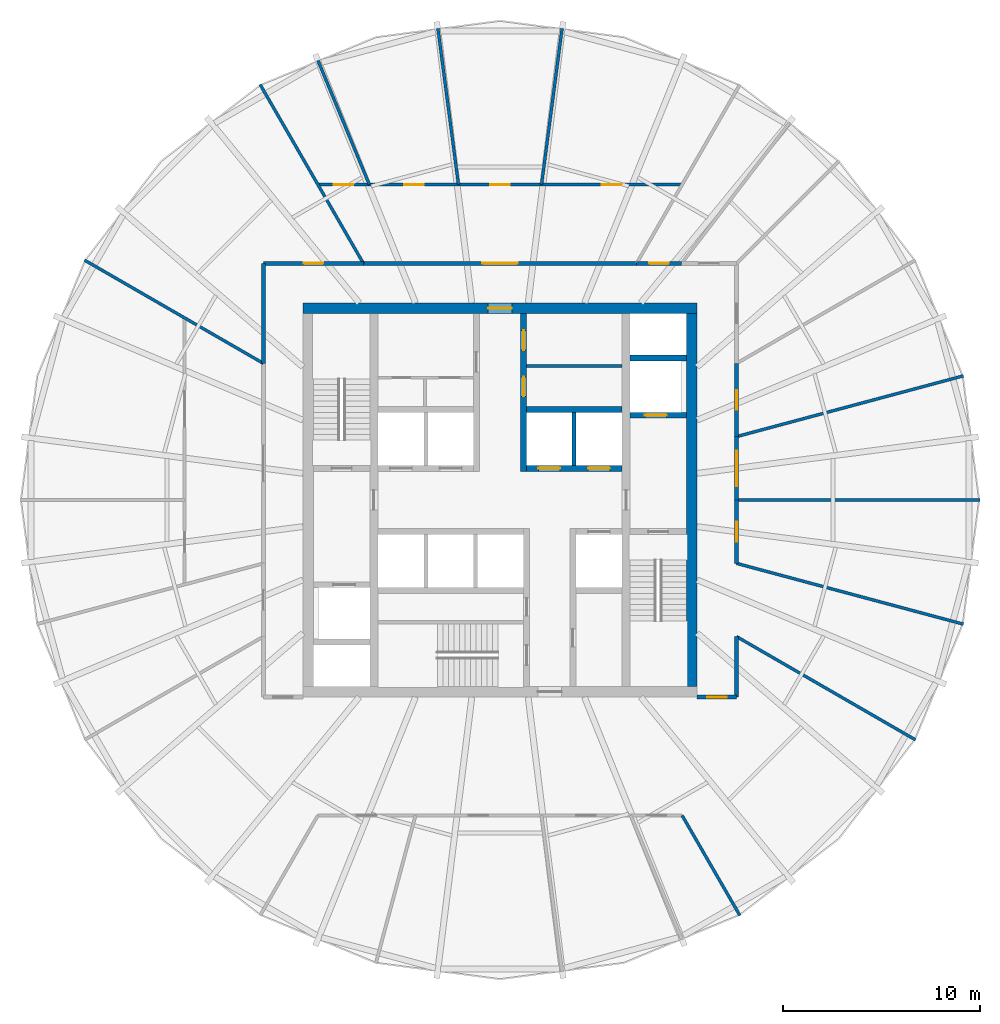
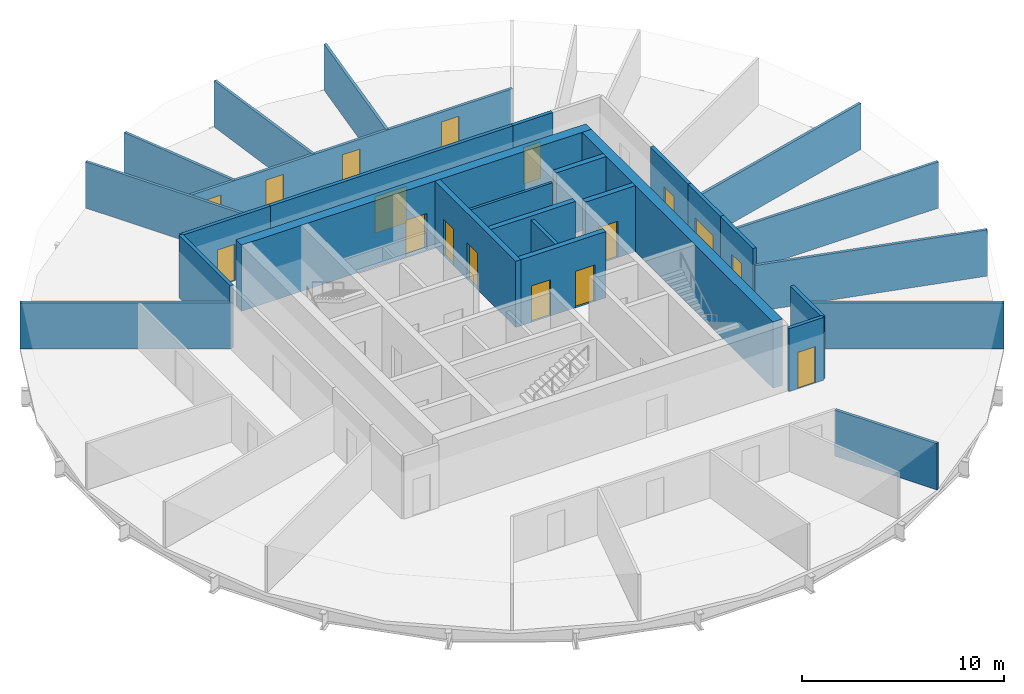
# One storey, part 4 of 6: 29 walls, 17 doors, 17 openings.
"""IFC4 building model written with IfcOpenShell, lengths in metres."""

from ifc_helpers import new_model, si_unit, direction, frame, frame_2d, origin, place, context, subcontext, project, spatial, rectangle, extrude, material, layer, layer_set, type_object, element, fill, save


model = new_model("IFC4")

# Units and contexts
model_context = context("Model", 3, precision=1e-05, world=origin(), true_north=direction((0.0, 1.0)))
body_context = subcontext(model_context, "Body", "Model", "MODEL_VIEW")
ifc_project = project(units=[si_unit("LENGTHUNIT", "METRE"), si_unit("AREAUNIT", "SQUARE_METRE"), si_unit("VOLUMEUNIT", "CUBIC_METRE"), si_unit("PLANEANGLEUNIT", "RADIAN"), si_unit("MASSUNIT", "GRAM", prefix="KILO")], contexts=[model_context])

# Site, building, storey
site_placement = place(None, origin())
site = spatial("IfcSite", under=ifc_project, at=site_placement, CompositionType="ELEMENT")
building_placement = place(site_placement, origin())
building = spatial("IfcBuilding", under=site, at=building_placement, Name="Golbaran Civic Tower", CompositionType="ELEMENT")
storey_placement = place(building_placement, frame((0.0, 0.0, 142.0)))
storey = spatial("IfcBuildingStorey", under=building, at=storey_placement, Name="L34", CompositionType="ELEMENT", Elevation=142.0)

# Wall
ifc_material_1 = material(Name="Concrete block", Category="concrete")
ifc_layer_1 = layer(ifc_material_1, 0.14990234375, Name="Concrete block")
ifc_layer_set_1 = layer_set([ifc_layer_1], Name="Concrete block")
wall_type_1 = type_object("IfcWallType", Name="BLOCKWORK PARTITION 150", PredefinedType="PARTITIONING", material=ifc_layer_set_1)
wall_1_placement = place(storey_placement, frame((1.35009765625, 6.800048828125, 0.0), z_axis=(0.0, 0.0, 1.0), x_axis=(1.0, 0.0, 0.0)))
element("IfcWall", 1, at=wall_1_placement, inside=storey, type_object=wall_type_1, Name="Toilet block partition TN1 L34", PredefinedType="PARTITIONING", context=body_context, shape_type="SweptSolid", body=[
    extrude(rectangle(XDim=4.849853515625, YDim=0.14990234375, at=frame_2d((2.4248046875, 0.0))), origin(), (0.0, 0.0, 1.0), 3.75),
])

# Wall, opening, door
ifc_material_2 = material(Name="Concrete C50/60", Category="concrete")
ifc_layer_2 = layer(ifc_material_2, 0.550048828125, Name="Concrete C50/60")
ifc_layer_set_2 = layer_set([ifc_layer_2], Name="Concrete C50/60")
wall_type_2 = type_object("IfcWallType", Name="CORE WALL CONCRETE 550", PredefinedType="SOLIDWALL", material=ifc_layer_set_2)
wall_2_placement = place(storey_placement, frame((-10.0, 9.72509765625, 0.0), z_axis=(0.0, 0.0, 1.0), x_axis=(1.0, 0.0, 0.0)))
wall_2 = element("IfcWall", 2, at=wall_2_placement, inside=storey, type_object=wall_type_2, Name="Core wall CN L34", PredefinedType="SOLIDWALL", context=body_context, shape_type="SweptSolid", body=[
    extrude(rectangle(XDim=20.0, YDim=0.550048828125, at=frame_2d((10.0, 0.0))), origin(), (0.0, 0.0, 1.0), 4.0),
])
opening_1_placement = place(wall_2_placement, frame((9.39990234375, 0.0, 0.0)))
opening_1 = element("IfcOpeningElement", 3, at=opening_1_placement, cuts=wall_2, Name="Opening L34.CN", PredefinedType="OPENING", context=body_context, shape_type="SweptSolid", body=[
    extrude(rectangle(XDim=1.199951171875, YDim=2.199951171875, at=frame_2d((0.60009765625, 1.10009765625))), frame((0.0, 0.284912109375, 0.0), z_axis=(0.0, -1.0, 0.0), x_axis=(1.0, 0.0, 0.0)), (0.0, 0.0, 1.0), 0.570068359375),
])
ifc_material_3 = material(Name="Timber door set in steel frame", Category="steel")
door_type_1 = type_object("IfcDoorType", Name="CORE DOOR 1200x2200", OperationType="DOUBLE_DOOR_SINGLE_SWING", PredefinedType="DOOR", material=ifc_material_3)
door_1_placement = place(opening_1_placement, origin())
door_1 = element("IfcDoor", 4, at=door_1_placement, inside=storey, type_object=door_type_1, Name="Core door north", OperationType="DOUBLE_DOOR_SINGLE_SWING", OverallHeight=2.199951171875, OverallWidth=1.199951171875, PredefinedType="DOOR", context=body_context, shape_type="SweptSolid", body=[
    extrude(rectangle(XDim=1.199951171875, YDim=2.199951171875, at=frame_2d((0.60009765625, 1.10009765625))), frame((0.0, 0.02490234375, 0.0), z_axis=(0.0, -1.0, 0.0), x_axis=(1.0, 0.0, 0.0)), (0.0, 0.0, 1.0), 0.050048828125),
])
fill(opening_1, door_1)

# Wall
wall_3_placement = place(storey_placement, frame((9.72509765625, -9.449951171875, 0.0), z_axis=(0.0, 0.0, 1.0), x_axis=(0.0, 1.0, 0.0)))
element("IfcWall", 5, at=wall_3_placement, inside=storey, type_object=wall_type_2, Name="Core wall CE L34", PredefinedType="SOLIDWALL", context=body_context, shape_type="SweptSolid", body=[
    extrude(rectangle(XDim=18.89990234375, YDim=0.550048828125, at=frame_2d((9.449951171875, 0.0))), origin(), (0.0, 0.0, 1.0), 4.0),
])

# Wall, opening, door
ifc_material_4 = material(Name="Gypsum board on steel studs, fire-rated", Category="steel")
ifc_layer_3 = layer(ifc_material_4, 0.199951171875, Name="Gypsum board on steel studs, fire-rated")
ifc_layer_set_3 = layer_set([ifc_layer_3], Name="Gypsum board on steel studs, fire-rated")
wall_type_3 = type_object("IfcWallType", Name="CORRIDOR WALL 200", PredefinedType="PARTITIONING", material=ifc_layer_set_3)
wall_4_placement = place(storey_placement, frame((12.0, -3.21533203125, 0.0), z_axis=(0.0, 0.0, 1.0), x_axis=(0.0, 1.0, 0.0)))
wall_4 = element("IfcWall", 6, at=wall_4_placement, inside=storey, type_object=wall_type_3, Name="Corridor wall L34", PredefinedType="PARTITIONING", context=body_context, shape_type="SweptSolid", body=[
    extrude(rectangle(XDim=3.21533203125, YDim=0.199951171875, at=frame_2d((1.607666015625, 0.0))), origin(), (0.0, 0.0, 1.0), 3.800048828125),
])
opening_2_placement = place(wall_4_placement, frame((1.107666015625, 0.0, 0.0)))
opening_2 = element("IfcOpeningElement", 7, at=opening_2_placement, cuts=wall_4, Name="Opening L34.11", PredefinedType="OPENING", context=body_context, shape_type="SweptSolid", body=[
    extrude(rectangle(XDim=1.0, YDim=2.199951171875, at=frame_2d((0.5, 1.10009765625))), frame((0.0, 0.10986328125, 0.0), z_axis=(0.0, -1.0, 0.0), x_axis=(1.0, 0.0, 0.0)), (0.0, 0.0, 1.0), 0.219970703125),
])
door_type_2 = type_object("IfcDoorType", Name="OFFICE DOOR 1000x2200", OperationType="SINGLE_SWING_LEFT", PredefinedType="DOOR", material=ifc_material_3)
door_2_placement = place(opening_2_placement, origin())
door_2 = element("IfcDoor", 8, at=door_2_placement, inside=storey, type_object=door_type_2, Name="Meeting Room door L34", OperationType="SINGLE_SWING_LEFT", OverallHeight=2.199951171875, OverallWidth=1.0, PredefinedType="DOOR", context=body_context, shape_type="SweptSolid", body=[
    extrude(rectangle(XDim=1.0, YDim=2.199951171875, at=frame_2d((0.5, 1.10009765625))), frame((0.0, 0.02490234375, 0.0), z_axis=(0.0, -1.0, 0.0), x_axis=(1.0, 0.0, 0.0)), (0.0, 0.0, 1.0), 0.050048828125),
])
fill(opening_2, door_2)

wall_5_placement = place(storey_placement, frame((12.0, 0.0, 0.0), z_axis=(0.0, 0.0, 1.0), x_axis=(0.0, 1.0, 0.0)))
wall_5 = element("IfcWall", 9, at=wall_5_placement, inside=storey, type_object=wall_type_3, Name="Corridor wall L34", PredefinedType="PARTITIONING", context=body_context, shape_type="SweptSolid", body=[
    extrude(rectangle(XDim=3.21533203125, YDim=0.199951171875, at=frame_2d((1.607666015625, 0.0))), origin(), (0.0, 0.0, 1.0), 3.800048828125),
])
opening_3_placement = place(wall_5_placement, frame((0.707763671875, 0.0, 0.0)))
opening_3 = element("IfcOpeningElement", 10, at=opening_3_placement, cuts=wall_5, Name="Opening L34.12", PredefinedType="OPENING", context=body_context, shape_type="SweptSolid", body=[
    extrude(rectangle(XDim=1.800048828125, YDim=2.199951171875, at=frame_2d((0.89990234375, 1.10009765625))), frame((0.0, 0.10986328125, 0.0), z_axis=(0.0, -1.0, 0.0), x_axis=(1.0, 0.0, 0.0)), (0.0, 0.0, 1.0), 0.219970703125),
])
door_type_3 = type_object("IfcDoorType", Name="OFFICE DOUBLE DOOR 1800x2200", OperationType="DOUBLE_DOOR_SINGLE_SWING", PredefinedType="DOOR", material=ifc_material_3)
door_3_placement = place(opening_3_placement, origin())
door_3 = element("IfcDoor", 11, at=door_3_placement, inside=storey, type_object=door_type_3, Name="Open Office door L34", OperationType="DOUBLE_DOOR_SINGLE_SWING", OverallHeight=2.199951171875, OverallWidth=1.800048828125, PredefinedType="DOOR", context=body_context, shape_type="SweptSolid", body=[
    extrude(rectangle(XDim=1.800048828125, YDim=2.199951171875, at=frame_2d((0.89990234375, 1.10009765625))), frame((0.0, 0.02490234375, 0.0), z_axis=(0.0, -1.0, 0.0), x_axis=(1.0, 0.0, 0.0)), (0.0, 0.0, 1.0), 0.050048828125),
])
fill(opening_3, door_3)

wall_6_placement = place(storey_placement, frame((12.0, 3.21533203125, 0.0), z_axis=(0.0, 0.0, 1.0), x_axis=(0.0, 1.0, 0.0)))
wall_6 = element("IfcWall", 12, at=wall_6_placement, inside=storey, type_object=wall_type_3, Name="Corridor wall L34", PredefinedType="PARTITIONING", context=body_context, shape_type="SweptSolid", body=[
    extrude(rectangle(XDim=3.712890625, YDim=0.199951171875, at=frame_2d((1.8564453125, 0.0))), origin(), (0.0, 0.0, 1.0), 3.800048828125),
])
opening_4_placement = place(wall_6_placement, frame((1.3564453125, 0.0, 0.0)))
opening_4 = element("IfcOpeningElement", 13, at=opening_4_placement, cuts=wall_6, Name="Opening L34.13", PredefinedType="OPENING", context=body_context, shape_type="SweptSolid", body=[
    extrude(rectangle(XDim=1.0, YDim=2.199951171875, at=frame_2d((0.5, 1.10009765625))), frame((0.0, 0.10986328125, 0.0), z_axis=(0.0, -1.0, 0.0), x_axis=(1.0, 0.0, 0.0)), (0.0, 0.0, 1.0), 0.219970703125),
])
door_4_placement = place(opening_4_placement, origin())
door_4 = element("IfcDoor", 14, at=door_4_placement, inside=storey, type_object=door_type_2, Name="Project Room door L34", OperationType="SINGLE_SWING_LEFT", OverallHeight=2.199951171875, OverallWidth=1.0, PredefinedType="DOOR", context=body_context, shape_type="SweptSolid", body=[
    extrude(rectangle(XDim=1.0, YDim=2.199951171875, at=frame_2d((0.5, 1.10009765625))), frame((0.0, 0.02490234375, 0.0), z_axis=(0.0, -1.0, 0.0), x_axis=(1.0, 0.0, 0.0)), (0.0, 0.0, 1.0), 0.050048828125),
])
fill(opening_4, door_4)

wall_7_placement = place(storey_placement, frame((9.2080078125, 12.0, 0.0), z_axis=(0.0, 0.0, 1.0), x_axis=(-1.0, 0.0, 0.0)))
wall_7 = element("IfcWall", 15, at=wall_7_placement, inside=storey, type_object=wall_type_3, Name="Corridor wall L34", PredefinedType="PARTITIONING", context=body_context, shape_type="SweptSolid", body=[
    extrude(rectangle(XDim=2.27978515625, YDim=0.199951171875, at=frame_2d((1.139892578125, 0.0))), origin(), (0.0, 0.0, 1.0), 3.800048828125),
])
opening_5_placement = place(wall_7_placement, frame((0.639892578125, 0.0, 0.0)))
opening_5 = element("IfcOpeningElement", 16, at=opening_5_placement, cuts=wall_7, Name="Opening L34.16", PredefinedType="OPENING", context=body_context, shape_type="SweptSolid", body=[
    extrude(rectangle(XDim=1.0, YDim=2.199951171875, at=frame_2d((0.5, 1.10009765625))), frame((0.0, 0.10986328125, 0.0), z_axis=(0.0, -1.0, 0.0), x_axis=(1.0, 0.0, 0.0)), (0.0, 0.0, 1.0), 0.219970703125),
])
door_5_placement = place(opening_5_placement, origin())
door_5 = element("IfcDoor", 17, at=door_5_placement, inside=storey, type_object=door_type_2, Name="Print and Copy Room door L34", OperationType="SINGLE_SWING_RIGHT", OverallHeight=2.199951171875, OverallWidth=1.0, PredefinedType="DOOR", context=body_context, shape_type="SweptSolid", body=[
    extrude(rectangle(XDim=1.0, YDim=2.199951171875, at=frame_2d((0.5, 1.10009765625))), frame((0.0, 0.02490234375, 0.0), z_axis=(0.0, -1.0, 0.0), x_axis=(1.0, 0.0, 0.0)), (0.0, 0.0, 1.0), 0.050048828125),
])
fill(opening_5, door_5)

wall_8_placement = place(storey_placement, frame((6.92822265625, 12.0, 0.0), z_axis=(0.0, 0.0, 1.0), x_axis=(-1.0, 0.0, 0.0)))
wall_8 = element("IfcWall", 18, at=wall_8_placement, inside=storey, type_object=wall_type_3, Name="Corridor wall L34", PredefinedType="PARTITIONING", context=body_context, shape_type="SweptSolid", body=[
    extrude(rectangle(XDim=13.8564453125, YDim=0.199951171875, at=frame_2d((6.92822265625, 0.0))), origin(), (0.0, 0.0, 1.0), 3.800048828125),
])
opening_6_placement = place(wall_8_placement, frame((6.0283203125, 0.0, 0.0)))
opening_6 = element("IfcOpeningElement", 19, at=opening_6_placement, cuts=wall_8, Name="Opening L34.17", PredefinedType="OPENING", context=body_context, shape_type="SweptSolid", body=[
    extrude(rectangle(XDim=1.800048828125, YDim=2.199951171875, at=frame_2d((0.89990234375, 1.10009765625))), frame((0.0, 0.10986328125, 0.0), z_axis=(0.0, -1.0, 0.0), x_axis=(1.0, 0.0, 0.0)), (0.0, 0.0, 1.0), 0.219970703125),
])
door_6_placement = place(opening_6_placement, origin())
door_6 = element("IfcDoor", 20, at=door_6_placement, inside=storey, type_object=door_type_3, Name="Secretariat door L34", OperationType="DOUBLE_DOOR_SINGLE_SWING", OverallHeight=2.199951171875, OverallWidth=1.800048828125, PredefinedType="DOOR", context=body_context, shape_type="SweptSolid", body=[
    extrude(rectangle(XDim=1.800048828125, YDim=2.199951171875, at=frame_2d((0.89990234375, 1.10009765625))), frame((0.0, 0.02490234375, 0.0), z_axis=(0.0, -1.0, 0.0), x_axis=(1.0, 0.0, 0.0)), (0.0, 0.0, 1.0), 0.050048828125),
])
fill(opening_6, door_6)

wall_9_placement = place(storey_placement, frame((-6.92822265625, 12.0, 0.0), z_axis=(0.0, 0.0, 1.0), x_axis=(-1.0, 0.0, 0.0)))
wall_9 = element("IfcWall", 21, at=wall_9_placement, inside=storey, type_object=wall_type_3, Name="Corridor wall L34", PredefinedType="PARTITIONING", context=body_context, shape_type="SweptSolid", body=[
    extrude(rectangle(XDim=5.07177734375, YDim=0.199951171875, at=frame_2d((2.535888671875, 0.0))), origin(), (0.0, 0.0, 1.0), 3.800048828125),
])
opening_7_placement = place(wall_9_placement, frame((2.035888671875, 0.0, 0.0)))
opening_7 = element("IfcOpeningElement", 22, at=opening_7_placement, cuts=wall_9, Name="Opening L34.18", PredefinedType="OPENING", context=body_context, shape_type="SweptSolid", body=[
    extrude(rectangle(XDim=1.0, YDim=2.199951171875, at=frame_2d((0.5, 1.10009765625))), frame((0.0, 0.10986328125, 0.0), z_axis=(0.0, -1.0, 0.0), x_axis=(1.0, 0.0, 0.0)), (0.0, 0.0, 1.0), 0.219970703125),
])
door_7_placement = place(opening_7_placement, origin())
door_7 = element("IfcDoor", 23, at=door_7_placement, inside=storey, type_object=door_type_2, Name="Project Room door L34", OperationType="SINGLE_SWING_RIGHT", OverallHeight=2.199951171875, OverallWidth=1.0, PredefinedType="DOOR", context=body_context, shape_type="SweptSolid", body=[
    extrude(rectangle(XDim=1.0, YDim=2.199951171875, at=frame_2d((0.5, 1.10009765625))), frame((0.0, 0.02490234375, 0.0), z_axis=(0.0, -1.0, 0.0), x_axis=(1.0, 0.0, 0.0)), (0.0, 0.0, 1.0), 0.050048828125),
])
fill(opening_7, door_7)

# Walls
wall_10_placement = place(storey_placement, frame((-12.0, 12.0, 0.0), z_axis=(0.0, 0.0, 1.0), x_axis=(0.0, -1.0, 0.0)))
element("IfcWall", 24, at=wall_10_placement, inside=storey, type_object=wall_type_3, Name="Corridor wall L34", PredefinedType="PARTITIONING", context=body_context, shape_type="SweptSolid", body=[
    extrude(rectangle(XDim=5.07177734375, YDim=0.199951171875, at=frame_2d((2.535888671875, 0.0))), origin(), (0.0, 0.0, 1.0), 3.800048828125),
])
wall_11_placement = place(storey_placement, frame((12.0, -10.0, 0.0), z_axis=(0.0, 0.0, 1.0), x_axis=(0.0, 1.0, 0.0)))
element("IfcWall", 25, at=wall_11_placement, inside=storey, type_object=wall_type_3, Name="Corridor wall L34", PredefinedType="PARTITIONING", context=body_context, shape_type="SweptSolid", body=[
    extrude(rectangle(XDim=3.07177734375, YDim=0.199951171875, at=frame_2d((1.535888671875, 0.0))), origin(), (0.0, 0.0, 1.0), 3.800048828125),
])

# Wall, opening, door
wall_12_placement = place(storey_placement, frame((10.0, -10.0, 0.0), z_axis=(0.0, 0.0, 1.0), x_axis=(1.0, 0.0, 0.0)))
wall_12 = element("IfcWall", 26, at=wall_12_placement, inside=storey, type_object=wall_type_3, Name="Corridor end wall L34", PredefinedType="PARTITIONING", context=body_context, shape_type="SweptSolid", body=[
    extrude(rectangle(XDim=2.0, YDim=0.199951171875, at=frame_2d((1.0, 0.0))), origin(), (0.0, 0.0, 1.0), 3.800048828125),
])
opening_8_placement = place(wall_12_placement, frame((0.5, 0.0, 0.0)))
opening_8 = element("IfcOpeningElement", 27, at=opening_8_placement, cuts=wall_12, Name="Opening L34.23", PredefinedType="OPENING", context=body_context, shape_type="SweptSolid", body=[
    extrude(rectangle(XDim=1.0, YDim=2.199951171875, at=frame_2d((0.5, 1.10009765625))), frame((0.0, 0.10986328125, 0.0), z_axis=(0.0, -1.0, 0.0), x_axis=(1.0, 0.0, 0.0)), (0.0, 0.0, 1.0), 0.219970703125),
])
door_8_placement = place(opening_8_placement, origin())
door_8 = element("IfcDoor", 28, at=door_8_placement, inside=storey, type_object=door_type_2, Name="Open Office door L34", OperationType="SINGLE_SWING_LEFT", OverallHeight=2.199951171875, OverallWidth=1.0, PredefinedType="DOOR", context=body_context, shape_type="SweptSolid", body=[
    extrude(rectangle(XDim=1.0, YDim=2.199951171875, at=frame_2d((0.5, 1.10009765625))), frame((0.0, 0.02490234375, 0.0), z_axis=(0.0, -1.0, 0.0), x_axis=(1.0, 0.0, 0.0)), (0.0, 0.0, 1.0), 0.050048828125),
])
fill(opening_8, door_8)

# Walls
ifc_layer_4 = layer(ifc_material_1, 0.199951171875, Name="Concrete block")
ifc_layer_set_4 = layer_set([ifc_layer_4], Name="Concrete block")
wall_type_4 = type_object("IfcWallType", Name="LIFT SEPARATOR WALL 200", PredefinedType="SOLIDWALL", material=ifc_layer_set_4)
wall_13_placement = place(storey_placement, frame((3.75, 1.75, 0.0), z_axis=(0.0, 0.0, 1.0), x_axis=(0.0, 1.0, 0.0)))
element("IfcWall", 29, at=wall_13_placement, inside=storey, type_object=wall_type_4, Name="Core partition SNE L34", PredefinedType="SOLIDWALL", context=body_context, shape_type="SweptSolid", body=[
    extrude(rectangle(XDim=2.699951171875, YDim=0.199951171875, at=frame_2d((1.35009765625, 0.0))), origin(), (0.0, 0.0, 1.0), 3.75),
])
ifc_material_5 = material(Name="Gypsum board on steel studs", Category="steel")
ifc_layer_5 = layer(ifc_material_5, 0.14990234375, Name="Gypsum board on steel studs")
ifc_layer_set_5 = layer_set([ifc_layer_5], Name="Gypsum board on steel studs")
wall_type_5 = type_object("IfcWallType", Name="OFFICE PARTITION 150", PredefinedType="PARTITIONING", material=ifc_layer_set_5)
wall_14_placement = place(storey_placement, frame((12.0, -6.92822265625, 0.0), z_axis=(0.0, 0.0, 1.0), x_axis=(0.866029212144, -0.49999340367, 0.0)))
element("IfcWall", 30, at=wall_14_placement, inside=storey, type_object=wall_type_5, Name="Partition 330 L34", PredefinedType="PARTITIONING", context=body_context, shape_type="SweptSolid", body=[
    extrude(rectangle(XDim=10.477783203125, YDim=0.14990234375, at=frame_2d((5.23876953125, 0.0))), origin(), (0.0, 0.0, 1.0), 2.7900390625),
])
wall_15_placement = place(storey_placement, frame((12.0, -3.21533203125, 0.0), z_axis=(0.0, 0.0, 1.0), x_axis=(0.965926367889, -0.258817023816, 0.0)))
element("IfcWall", 31, at=wall_15_placement, inside=storey, type_object=wall_type_5, Name="Partition 345 L34", PredefinedType="PARTITIONING", context=body_context, shape_type="SweptSolid", body=[
    extrude(rectangle(XDim=11.910888671875, YDim=0.14990234375, at=frame_2d((5.95556640625, 0.0))), origin(), (0.0, 0.0, 1.0), 2.7900390625),
])
wall_16_placement = place(storey_placement, frame((12.0, 0.0, 0.0), z_axis=(0.0, 0.0, 1.0), x_axis=(1.0, 0.0, 0.0)))
element("IfcWall", 32, at=wall_16_placement, inside=storey, type_object=wall_type_5, Name="Partition 0 L34", PredefinedType="PARTITIONING", context=body_context, shape_type="SweptSolid", body=[
    extrude(rectangle(XDim=12.334228515625, YDim=0.14990234375, at=frame_2d((6.1669921875, 0.0))), origin(), (0.0, 0.0, 1.0), 2.7900390625),
])
wall_17_placement = place(storey_placement, frame((12.0, 3.21533203125, 0.0), z_axis=(0.0, 0.0, 1.0), x_axis=(0.965926367889, 0.258817023816, 0.0)))
element("IfcWall", 33, at=wall_17_placement, inside=storey, type_object=wall_type_5, Name="Partition 15 L34", PredefinedType="PARTITIONING", context=body_context, shape_type="SweptSolid", body=[
    extrude(rectangle(XDim=11.910888671875, YDim=0.14990234375, at=frame_2d((5.95556640625, 0.0))), origin(), (0.0, 0.0, 1.0), 2.7900390625),
])
for number, where, z_axis, x_axis, name in (
    (34, (-6.92822265625, 12.0, 0.0), (0.0, 0.0, 1.0), (-0.49999340367, 0.866029212144, 0.0), "Partition 120 L34"),
    (35, (-12.0, 6.92822265625, 0.0), (0.0, 0.0, 1.0), (-0.866029212144, 0.49999340367, 0.0), "Partition 150 L34"),
):
    element("IfcWall", number, at=place(storey_placement, frame(where, z_axis=z_axis, x_axis=x_axis)), inside=storey, type_object=wall_type_5, Name=name, PredefinedType="PARTITIONING", context=body_context, shape_type="SweptSolid", body=[
        extrude(rectangle(XDim=10.477783203125, YDim=0.14990234375, at=frame_2d((5.23876953125, 0.0))), origin(), (0.0, 0.0, 1.0), 2.7900390625),
    ])

# Wall, openings, doors
wall_18_placement = place(storey_placement, frame((9.237548828125, 16.0, 0.0), z_axis=(0.0, 0.0, 1.0), x_axis=(-1.0, 0.0, 0.0)))
wall_18 = element("IfcWall", 36, at=wall_18_placement, inside=storey, type_object=wall_type_5, Name="Suite partition L34", PredefinedType="PARTITIONING", context=body_context, shape_type="SweptSolid", body=[
    extrude(rectangle(XDim=18.47509765625, YDim=0.14990234375, at=frame_2d((9.237548828125, 0.0))), origin(), (0.0, 0.0, 1.0), 2.7900390625),
])
opening_9_placement = place(wall_18_placement, frame((3.065673828125, 0.0, 0.0)))
opening_9 = element("IfcOpeningElement", 37, at=opening_9_placement, cuts=wall_18, Name="Opening L34.01", PredefinedType="OPENING", context=body_context, shape_type="SweptSolid", body=[
    extrude(rectangle(XDim=1.0, YDim=2.199951171875, at=frame_2d((0.5, 1.10009765625))), frame((0.0, 0.0849609375, 0.0), z_axis=(0.0, -1.0, 0.0), x_axis=(1.0, 0.0, 0.0)), (0.0, 0.0, 1.0), 0.169921875),
])
opening_10_placement = place(wall_18_placement, frame((8.737548828125, 0.0, 0.0)))
opening_10 = element("IfcOpeningElement", 38, at=opening_10_placement, cuts=wall_18, Name="Opening L34.02", PredefinedType="OPENING", context=body_context, shape_type="SweptSolid", body=[
    extrude(rectangle(XDim=1.0, YDim=2.199951171875, at=frame_2d((0.5, 1.10009765625))), frame((0.0, 0.0849609375, 0.0), z_axis=(0.0, -1.0, 0.0), x_axis=(1.0, 0.0, 0.0)), (0.0, 0.0, 1.0), 0.169921875),
])
opening_11_placement = place(wall_18_placement, frame((13.1044921875, 0.0, 0.0)))
opening_11 = element("IfcOpeningElement", 39, at=opening_11_placement, cuts=wall_18, Name="Opening L34.03", PredefinedType="OPENING", context=body_context, shape_type="SweptSolid", body=[
    extrude(rectangle(XDim=1.0, YDim=2.199951171875, at=frame_2d((0.5, 1.10009765625))), frame((0.0, 0.0849609375, 0.0), z_axis=(0.0, -1.0, 0.0), x_axis=(1.0, 0.0, 0.0)), (0.0, 0.0, 1.0), 0.169921875),
])
opening_12_placement = place(wall_18_placement, frame((16.670166015625, 0.0, 0.0)))
opening_12 = element("IfcOpeningElement", 40, at=opening_12_placement, cuts=wall_18, Name="Opening L34.04", PredefinedType="OPENING", context=body_context, shape_type="SweptSolid", body=[
    extrude(rectangle(XDim=1.0, YDim=2.199951171875, at=frame_2d((0.5, 1.10009765625))), frame((0.0, 0.0849609375, 0.0), z_axis=(0.0, -1.0, 0.0), x_axis=(1.0, 0.0, 0.0)), (0.0, 0.0, 1.0), 0.169921875),
])
door_9_placement = place(opening_9_placement, origin())
door_9 = element("IfcDoor", 41, at=door_9_placement, inside=storey, type_object=door_type_2, Name="Office door L34", OperationType="SINGLE_SWING_LEFT", OverallHeight=2.199951171875, OverallWidth=1.0, PredefinedType="DOOR", context=body_context, shape_type="SweptSolid", body=[
    extrude(rectangle(XDim=1.0, YDim=2.199951171875, at=frame_2d((0.5, 1.10009765625))), frame((0.0, 0.02490234375, 0.0), z_axis=(0.0, -1.0, 0.0), x_axis=(1.0, 0.0, 0.0)), (0.0, 0.0, 1.0), 0.050048828125),
])
fill(opening_9, door_9)
door_10_placement = place(opening_10_placement, origin())
door_10 = element("IfcDoor", 42, at=door_10_placement, inside=storey, type_object=door_type_2, Name="Office door L34", OperationType="SINGLE_SWING_RIGHT", OverallHeight=2.199951171875, OverallWidth=1.0, PredefinedType="DOOR", context=body_context, shape_type="SweptSolid", body=[
    extrude(rectangle(XDim=1.0, YDim=2.199951171875, at=frame_2d((0.5, 1.10009765625))), frame((0.0, 0.02490234375, 0.0), z_axis=(0.0, -1.0, 0.0), x_axis=(1.0, 0.0, 0.0)), (0.0, 0.0, 1.0), 0.050048828125),
])
fill(opening_10, door_10)
door_11_placement = place(opening_11_placement, origin())
door_11 = element("IfcDoor", 43, at=door_11_placement, inside=storey, type_object=door_type_2, Name="Office door L34", OperationType="SINGLE_SWING_RIGHT", OverallHeight=2.199951171875, OverallWidth=1.0, PredefinedType="DOOR", context=body_context, shape_type="SweptSolid", body=[
    extrude(rectangle(XDim=1.0, YDim=2.199951171875, at=frame_2d((0.5, 1.10009765625))), frame((0.0, 0.02490234375, 0.0), z_axis=(0.0, -1.0, 0.0), x_axis=(1.0, 0.0, 0.0)), (0.0, 0.0, 1.0), 0.050048828125),
])
fill(opening_11, door_11)
door_12_placement = place(opening_12_placement, origin())
door_12 = element("IfcDoor", 44, at=door_12_placement, inside=storey, type_object=door_type_2, Name="Office door L34", OperationType="SINGLE_SWING_RIGHT", OverallHeight=2.199951171875, OverallWidth=1.0, PredefinedType="DOOR", context=body_context, shape_type="SweptSolid", body=[
    extrude(rectangle(XDim=1.0, YDim=2.199951171875, at=frame_2d((0.5, 1.10009765625))), frame((0.0, 0.02490234375, 0.0), z_axis=(0.0, -1.0, 0.0), x_axis=(1.0, 0.0, 0.0)), (0.0, 0.0, 1.0), 0.050048828125),
])
fill(opening_12, door_12)

# Walls
for number, where, z_axis, x_axis, name in (
    (45, (2.1064453125, 16.0, 0.0), (0.0, 0.0, 1.0), (0.13053594497, 0.991443577351, 0.0), "Partition 82.5 L34"),
    (46, (-2.1064453125, 16.0, 0.0), (0.0, 0.0, 1.0), (-0.13053594497, 0.991443577351, 0.0), "Partition 97.5 L34"),
):
    element("IfcWall", number, at=place(storey_placement, frame(where, z_axis=z_axis, x_axis=x_axis)), inside=storey, type_object=wall_type_5, Name=name, PredefinedType="PARTITIONING", context=body_context, shape_type="SweptSolid", body=[
        extrude(rectangle(XDim=7.988037109375, YDim=0.14990234375, at=frame_2d((3.994140625, 0.0))), origin(), (0.0, 0.0, 1.0), 2.7900390625),
    ])
wall_19_placement = place(storey_placement, frame((-6.62744140625, 16.0, 0.0), z_axis=(0.0, 0.0, 1.0), x_axis=(-0.382684356981, 0.923879149522, 0.0)))
element("IfcWall", 47, at=wall_19_placement, inside=storey, type_object=wall_type_5, Name="Partition 112.5 L34", PredefinedType="PARTITIONING", context=body_context, shape_type="SweptSolid", body=[
    extrude(rectangle(XDim=6.807861328125, YDim=0.14990234375, at=frame_2d((3.40380859375, 0.0))), origin(), (0.0, 0.0, 1.0), 2.7900390625),
])
wall_20_placement = place(storey_placement, frame((9.237548828125, -16.0, 0.0), z_axis=(0.0, 0.0, 1.0), x_axis=(0.499997792181, -0.866026678465, 0.0)))
element("IfcWall", 48, at=wall_20_placement, inside=storey, type_object=wall_type_5, Name="Suite side partition L34", PredefinedType="PARTITIONING", context=body_context, shape_type="SweptSolid", body=[
    extrude(rectangle(XDim=5.85888671875, YDim=0.14990234375, at=frame_2d((2.929443359375, 0.0))), origin(), (0.0, 0.0, 1.0), 2.7900390625),
])

# Wall, openings, doors
ifc_layer_6 = layer(ifc_material_2, 0.300048828125, Name="Concrete C50/60")
ifc_layer_set_6 = layer_set([ifc_layer_6], Name="Concrete C50/60")
wall_type_6 = type_object("IfcWallType", Name="SHAFT WALL CONCRETE 300", PredefinedType="SOLIDWALL", material=ifc_layer_set_6)
wall_21_placement = place(storey_placement, frame((1.35009765625, 1.60009765625, 0.0), z_axis=(0.0, 0.0, 1.0), x_axis=(1.0, 0.0, 0.0)))
wall_21 = element("IfcWall", 49, at=wall_21_placement, inside=storey, type_object=wall_type_6, Name="Core wall FNE L34", PredefinedType="SOLIDWALL", context=body_context, shape_type="SweptSolid", body=[
    extrude(rectangle(XDim=4.849853515625, YDim=0.300048828125, at=frame_2d((2.4248046875, 0.0))), origin(), (0.0, 0.0, 1.0), 4.0),
])
opening_13_placement = place(wall_21_placement, frame((0.60009765625, 0.0, 0.0)))
opening_13 = element("IfcOpeningElement", 50, at=opening_13_placement, cuts=wall_21, Name="Opening L34.LD-Z3M", PredefinedType="OPENING", context=body_context, shape_type="SweptSolid", body=[
    extrude(rectangle(XDim=1.10009765625, YDim=2.199951171875, at=frame_2d((0.550048828125, 1.10009765625))), frame((0.0, 0.159912109375, 0.0), z_axis=(0.0, -1.0, 0.0), x_axis=(1.0, 0.0, 0.0)), (0.0, 0.0, 1.0), 0.320068359375),
])
opening_14_placement = place(wall_21_placement, frame((3.125, 0.0, 0.0)))
opening_14 = element("IfcOpeningElement", 51, at=opening_14_placement, cuts=wall_21, Name="Opening L34.LD-Z4M", PredefinedType="OPENING", context=body_context, shape_type="SweptSolid", body=[
    extrude(rectangle(XDim=1.10009765625, YDim=2.199951171875, at=frame_2d((0.550048828125, 1.10009765625))), frame((0.0, 0.159912109375, 0.0), z_axis=(0.0, -1.0, 0.0), x_axis=(1.0, 0.0, 0.0)), (0.0, 0.0, 1.0), 0.320068359375),
])
ifc_material_6 = material(Name="Stainless steel", Category="steel")
door_type_4 = type_object("IfcDoorType", Name="LIFT LANDING DOOR 1100x2200", OperationType="SLIDING_TO_LEFT", PredefinedType="DOOR", material=ifc_material_6)
door_13_placement = place(opening_13_placement, origin())
door_13 = element("IfcDoor", 52, at=door_13_placement, inside=storey, type_object=door_type_4, Name="Lift landing door Z3M", OperationType="SLIDING_TO_LEFT", OverallHeight=2.199951171875, OverallWidth=1.10009765625, PredefinedType="DOOR", context=body_context, shape_type="SweptSolid", body=[
    extrude(rectangle(XDim=1.10009765625, YDim=2.199951171875, at=frame_2d((0.550048828125, 1.10009765625))), frame((0.0, 0.02490234375, 0.0), z_axis=(0.0, -1.0, 0.0), x_axis=(1.0, 0.0, 0.0)), (0.0, 0.0, 1.0), 0.050048828125),
])
fill(opening_13, door_13)
door_14_placement = place(opening_14_placement, origin())
door_14 = element("IfcDoor", 53, at=door_14_placement, inside=storey, type_object=door_type_4, Name="Lift landing door Z4M", OperationType="SLIDING_TO_LEFT", OverallHeight=2.199951171875, OverallWidth=1.10009765625, PredefinedType="DOOR", context=body_context, shape_type="SweptSolid", body=[
    extrude(rectangle(XDim=1.10009765625, YDim=2.199951171875, at=frame_2d((0.550048828125, 1.10009765625))), frame((0.0, 0.02490234375, 0.0), z_axis=(0.0, -1.0, 0.0), x_axis=(1.0, 0.0, 0.0)), (0.0, 0.0, 1.0), 0.050048828125),
])
fill(opening_14, door_14)

# Wall
wall_22_placement = place(storey_placement, frame((1.35009765625, 4.60009765625, 0.0), z_axis=(0.0, 0.0, 1.0), x_axis=(1.0, 0.0, 0.0)))
element("IfcWall", 54, at=wall_22_placement, inside=storey, type_object=wall_type_6, Name="Core wall BNE L34", PredefinedType="SOLIDWALL", context=body_context, shape_type="SweptSolid", body=[
    extrude(rectangle(XDim=4.849853515625, YDim=0.300048828125, at=frame_2d((2.4248046875, 0.0))), origin(), (0.0, 0.0, 1.0), 4.0),
])

# Wall, openings, doors
wall_23_placement = place(storey_placement, frame((1.199951171875, 1.449951171875, 0.0), z_axis=(0.0, 0.0, 1.0), x_axis=(0.0, 1.0, 0.0)))
wall_23 = element("IfcWall", 55, at=wall_23_placement, inside=storey, type_object=wall_type_6, Name="Core wall PNE L34", PredefinedType="SOLIDWALL", context=body_context, shape_type="SweptSolid", body=[
    extrude(rectangle(XDim=8.0, YDim=0.300048828125, at=frame_2d((4.0, 0.0))), origin(), (0.0, 0.0, 1.0), 4.0),
])
opening_15_placement = place(wall_23_placement, frame((3.800048828125, 0.0, 0.0)))
opening_15 = element("IfcOpeningElement", 56, at=opening_15_placement, cuts=wall_23, Name="Opening L34.WCA", PredefinedType="OPENING", context=body_context, shape_type="SweptSolid", body=[
    extrude(rectangle(XDim=1.0, YDim=2.199951171875, at=frame_2d((0.5, 1.10009765625))), frame((0.0, 0.159912109375, 0.0), z_axis=(0.0, -1.0, 0.0), x_axis=(1.0, 0.0, 0.0)), (0.0, 0.0, 1.0), 0.320068359375),
])
opening_16_placement = place(wall_23_placement, frame((6.14990234375, 0.0, 0.0)))
opening_16 = element("IfcOpeningElement", 57, at=opening_16_placement, cuts=wall_23, Name="Opening L34.WCF", PredefinedType="OPENING", context=body_context, shape_type="SweptSolid", body=[
    extrude(rectangle(XDim=1.0, YDim=2.199951171875, at=frame_2d((0.5, 1.10009765625))), frame((0.0, 0.159912109375, 0.0), z_axis=(0.0, -1.0, 0.0), x_axis=(1.0, 0.0, 0.0)), (0.0, 0.0, 1.0), 0.320068359375),
])
door_type_5 = type_object("IfcDoorType", Name="TOILET DOOR 1000x2200", OperationType="SINGLE_SWING_LEFT", PredefinedType="DOOR", material=ifc_material_3)
door_15_placement = place(opening_15_placement, origin())
door_15 = element("IfcDoor", 58, at=door_15_placement, inside=storey, type_object=door_type_5, Name="Accessible WC door", OperationType="SINGLE_SWING_RIGHT", OverallHeight=2.199951171875, OverallWidth=1.0, PredefinedType="DOOR", context=body_context, shape_type="SweptSolid", body=[
    extrude(rectangle(XDim=1.0, YDim=2.199951171875, at=frame_2d((0.5, 1.10009765625))), frame((0.0, 0.02490234375, 0.0), z_axis=(0.0, -1.0, 0.0), x_axis=(1.0, 0.0, 0.0)), (0.0, 0.0, 1.0), 0.050048828125),
])
fill(opening_15, door_15)
door_16_placement = place(opening_16_placement, origin())
door_16 = element("IfcDoor", 59, at=door_16_placement, inside=storey, type_object=door_type_5, Name="North-east toilet block door", OperationType="SINGLE_SWING_RIGHT", OverallHeight=2.199951171875, OverallWidth=1.0, PredefinedType="DOOR", context=body_context, shape_type="SweptSolid", body=[
    extrude(rectangle(XDim=1.0, YDim=2.199951171875, at=frame_2d((0.5, 1.10009765625))), frame((0.0, 0.02490234375, 0.0), z_axis=(0.0, -1.0, 0.0), x_axis=(1.0, 0.0, 0.0)), (0.0, 0.0, 1.0), 0.050048828125),
])
fill(opening_16, door_16)

# Wall, opening, door
wall_24_placement = place(storey_placement, frame((6.60009765625, 4.300048828125, 0.0), z_axis=(0.0, 0.0, 1.0), x_axis=(1.0, 0.0, 0.0)))
wall_24 = element("IfcWall", 60, at=wall_24_placement, inside=storey, type_object=wall_type_6, Name="Core wall XE2 L34", PredefinedType="SOLIDWALL", context=body_context, shape_type="SweptSolid", body=[
    extrude(rectangle(XDim=2.849853515625, YDim=0.300048828125, at=frame_2d((1.4248046875, 0.0))), origin(), (0.0, 0.0, 1.0), 4.0),
])
opening_17_placement = place(wall_24_placement, frame((0.75, 0.0, 0.0)))
opening_17 = element("IfcOpeningElement", 61, at=opening_17_placement, cuts=wall_24, Name="Opening L34.LD-F2", PredefinedType="OPENING", context=body_context, shape_type="SweptSolid", body=[
    extrude(rectangle(XDim=1.10009765625, YDim=2.199951171875, at=frame_2d((0.550048828125, 1.10009765625))), frame((0.0, 0.159912109375, 0.0), z_axis=(0.0, -1.0, 0.0), x_axis=(1.0, 0.0, 0.0)), (0.0, 0.0, 1.0), 0.320068359375),
])
door_17_placement = place(opening_17_placement, origin())
door_17 = element("IfcDoor", 62, at=door_17_placement, inside=storey, type_object=door_type_4, Name="Lift landing door F2", OperationType="SLIDING_TO_LEFT", OverallHeight=2.199951171875, OverallWidth=1.10009765625, PredefinedType="DOOR", context=body_context, shape_type="SweptSolid", body=[
    extrude(rectangle(XDim=1.10009765625, YDim=2.199951171875, at=frame_2d((0.550048828125, 1.10009765625))), frame((0.0, 0.02490234375, 0.0), z_axis=(0.0, -1.0, 0.0), x_axis=(1.0, 0.0, 0.0)), (0.0, 0.0, 1.0), 0.050048828125),
])
fill(opening_17, door_17)

# Wall
wall_25_placement = place(storey_placement, frame((6.60009765625, 7.199951171875, 0.0), z_axis=(0.0, 0.0, 1.0), x_axis=(1.0, 0.0, 0.0)))
element("IfcWall", 63, at=wall_25_placement, inside=storey, type_object=wall_type_6, Name="Core wall XE3 L34", PredefinedType="SOLIDWALL", context=body_context, shape_type="SweptSolid", body=[
    extrude(rectangle(XDim=2.849853515625, YDim=0.300048828125, at=frame_2d((1.4248046875, 0.0))), origin(), (0.0, 0.0, 1.0), 4.0),
])

save(model, "model.ifc")
